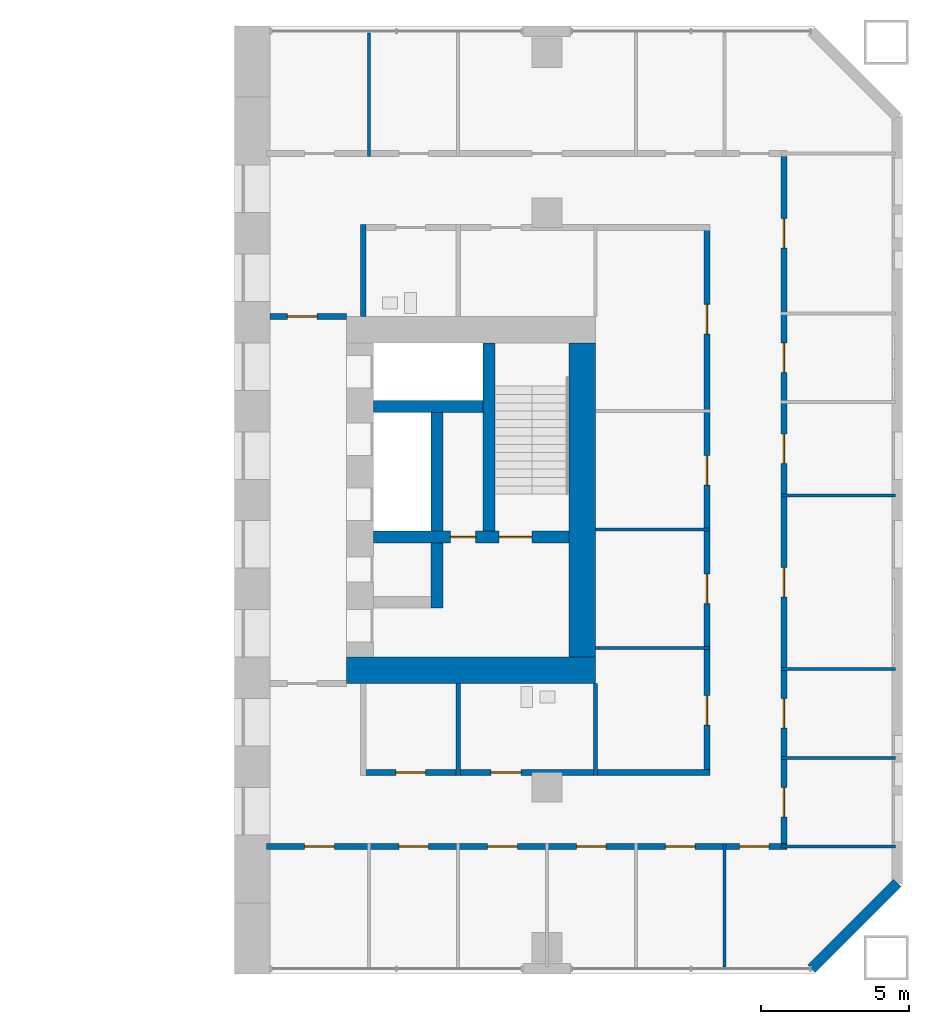
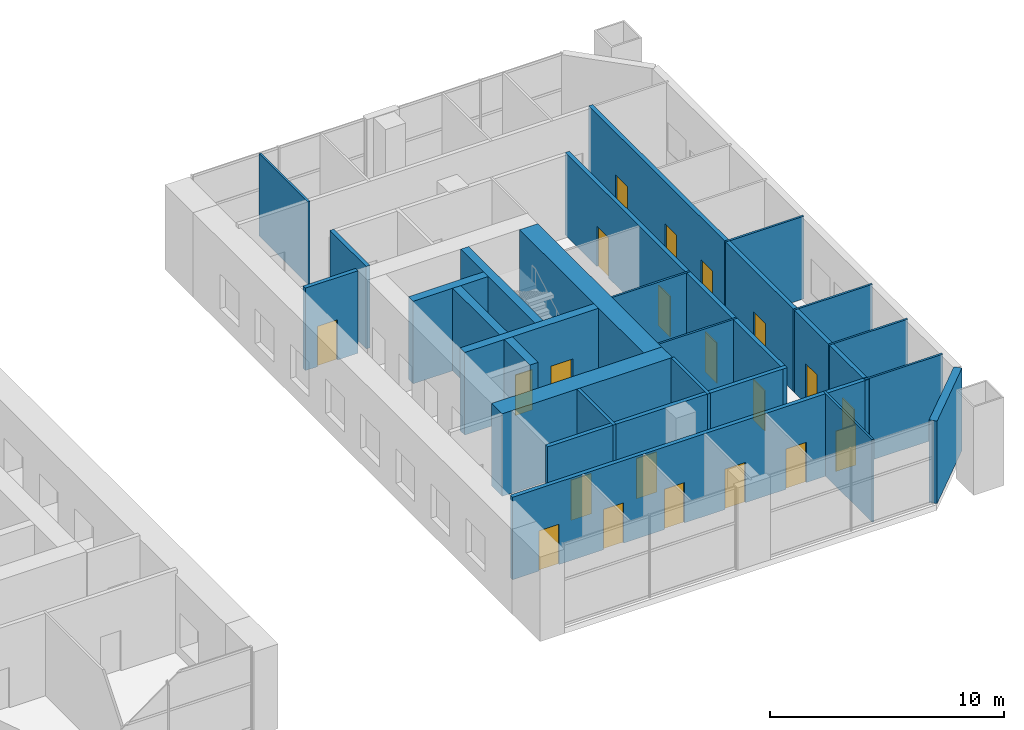
# One storey, part 15 of 19: 24 walls, 21 doors, 21 openings.
"""IFC4 building model written with IfcOpenShell, lengths in metres."""

from ifc_helpers import new_model, si_unit, direction, frame, frame_2d, origin, place, context, subcontext, project, spatial, rectangle, extrude, material, layer, layer_set, type_object, element, fill, save


model = new_model("IFC4")

# Units and contexts
model_context = context("Model", 3, precision=1e-05, world=origin(), true_north=direction((0.0, 1.0)))
body_context = subcontext(model_context, "Body", "Model", "MODEL_VIEW")
ifc_project = project(units=[si_unit("LENGTHUNIT", "METRE"), si_unit("AREAUNIT", "SQUARE_METRE"), si_unit("VOLUMEUNIT", "CUBIC_METRE"), si_unit("PLANEANGLEUNIT", "RADIAN"), si_unit("MASSUNIT", "GRAM", prefix="KILO")], contexts=[model_context])

# Site, building, storey
site_placement = place(None, origin())
site = spatial("IfcSite", under=ifc_project, at=site_placement, CompositionType="ELEMENT")
building_placement = place(site_placement, origin())
building = spatial("IfcBuilding", under=site, at=building_placement, Name="Tuart Gate Housing", CompositionType="ELEMENT")
storey_placement = place(building_placement, frame((0.0, 0.0, 10.10009765625)))
storey = spatial("IfcBuildingStorey", under=building, at=storey_placement, Name="L02", CompositionType="ELEMENT", Elevation=10.10009765625)

# Walls
ifc_material_1 = material(Name="Gypsum board on steel studs", Category="steel")
ifc_layer_1 = layer(ifc_material_1, 0.14990234375)
ifc_layer_set_1 = layer_set([ifc_layer_1], Name="Bathroom wall 150")
wall_type_1 = type_object("IfcWallType", Name="Bathroom wall 150", PredefinedType="PLUMBINGWALL", material=ifc_layer_set_1)
for number, where, z_axis, x_axis, name in (
    (1, (164.0, 60.699951171875, 0.0), (0.0, 0.0, 1.0), (0.0, 1.0, 0.0), "Bathroom wall 150"),
    (2, (168.639892578125, 60.699951171875, 0.0), (0.0, 0.0, 1.0), (0.0, 1.0, 0.0), "Bathroom wall 150"),
):
    element("IfcWall", number, at=place(storey_placement, frame(where, z_axis=z_axis, x_axis=x_axis)), inside=storey, type_object=wall_type_1, Name=name, PredefinedType="PLUMBINGWALL", context=body_context, shape_type="SweptSolid", body=[
        extrude(rectangle(XDim=3.10009765625, YDim=0.14990234375, at=frame_2d((1.550048828125, 0.0))), origin(), (0.0, 0.0, 1.0), 4.2998046875),
    ])
ifc_material_2 = material(Name="Brick", Category="masonry")
ifc_layer_2 = layer(ifc_material_2, 0.360107421875)
ifc_layer_set_2 = layer_set([ifc_layer_2], Name="Brick pier and spandrel wall 360")
wall_type_2 = type_object("IfcWallType", Name="Brick pier and spandrel wall 360", PredefinedType="STANDARD", material=ifc_layer_set_2)
wall_1_placement = place(storey_placement, frame((175.92529296875, 54.179931640625, 0.0), z_axis=(0.0, 0.0, 1.0), x_axis=(0.707106781187, 0.707106781187, 0.0)))
element("IfcWall", 3, at=wall_1_placement, inside=storey, type_object=wall_type_2, Name="External wall B-SE L02", PredefinedType="STANDARD", context=body_context, shape_type="SweptSolid", body=[
    extrude(rectangle(XDim=4.09375, YDim=0.360107421875, at=frame_2d((2.046875, 0.0))), origin(), (0.0, 0.0, 1.0), 4.2998046875),
])
ifc_material_3 = material(Name="Concrete C60", Category="concrete")
ifc_layer_3 = layer(ifc_material_3, 0.39990234375)
ifc_layer_set_3 = layer_set([ifc_layer_3], Name="Core wall 400 C60")
wall_type_3 = type_object("IfcWallType", Name="Core wall 400 C60", PredefinedType="SHEAR", material=ifc_layer_set_3)
wall_2_placement = place(storey_placement, frame((161.139892578125, 73.14990234375, 0.0), z_axis=(0.0, 0.0, 1.0), x_axis=(1.0, 0.0, 0.0)))
element("IfcWall", 4, at=wall_2_placement, inside=storey, type_object=wall_type_3, Name="Core wall BK.1", PredefinedType="SHEAR", context=body_context, shape_type="SweptSolid", body=[
    extrude(rectangle(XDim=3.7001953125, YDim=0.39990234375, at=frame_2d((1.85009765625, 0.0))), origin(), (0.0, 0.0, 1.0), 4.2998046875),
])

# Wall, openings, doors
wall_3_placement = place(storey_placement, frame((161.139892578125, 68.75, 0.0), z_axis=(0.0, 0.0, 1.0), x_axis=(1.0, 0.0, 0.0)))
wall_3 = element("IfcWall", 5, at=wall_3_placement, inside=storey, type_object=wall_type_3, Name="Core wall BK.2", PredefinedType="SHEAR", context=body_context, shape_type="SweptSolid", body=[
    extrude(rectangle(XDim=6.60009765625, YDim=0.39990234375, at=frame_2d((3.300048828125, 0.0))), origin(), (0.0, 0.0, 1.0), 4.2998046875),
])
opening_1_placement = place(wall_3_placement, frame((4.25, 0.0, 0.0)))
opening_1 = element("IfcOpeningElement", 6, at=opening_1_placement, cuts=wall_3, Name="Opening D3232", PredefinedType="OPENING", context=body_context, shape_type="SweptSolid", body=[
    extrude(rectangle(XDim=1.10009765625, YDim=2.10009765625, at=frame_2d((0.550048828125, 1.050048828125))), frame((0.0, 0.2099609375, 0.0), z_axis=(0.0, -1.0, 0.0), x_axis=(1.0, 0.0, 0.0)), (0.0, 0.0, 1.0), 0.419921875),
])
opening_2_placement = place(wall_3_placement, frame((2.60009765625, 0.0, 0.0)))
opening_2 = element("IfcOpeningElement", 7, at=opening_2_placement, cuts=wall_3, Name="Opening D3231", PredefinedType="OPENING", context=body_context, shape_type="SweptSolid", body=[
    extrude(rectangle(XDim=0.85009765625, YDim=2.10009765625, at=frame_2d((0.425048828125, 1.050048828125))), frame((0.0, 0.2099609375, 0.0), z_axis=(0.0, -1.0, 0.0), x_axis=(1.0, 0.0, 0.0)), (0.0, 0.0, 1.0), 0.419921875),
])
ifc_material_4 = material(Name="Steel fire door", Category="steel")
door_type_1 = type_object("IfcDoorType", Name="Riser door 850 x 2100", OperationType="SINGLE_SWING_LEFT", PredefinedType="DOOR", material=ifc_material_4)
door_1_placement = place(opening_2_placement, origin())
door_1 = element("IfcDoor", 8, at=door_1_placement, inside=storey, type_object=door_type_1, Name="Service room door BK.W1", OperationType="SINGLE_SWING_LEFT", OverallHeight=2.10009765625, OverallWidth=0.85009765625, PredefinedType="DOOR", context=body_context, shape_type="SweptSolid", body=[
    extrude(rectangle(XDim=0.85009765625, YDim=2.10009765625, at=frame_2d((0.425048828125, 1.050048828125))), frame((0.0, 0.02490234375, 0.0), z_axis=(0.0, -1.0, 0.0), x_axis=(1.0, 0.0, 0.0)), (0.0, 0.0, 1.0), 0.050048828125),
])
fill(opening_2, door_1)
ifc_material_5 = material(Name="Steel fire door", Category="steel")
door_type_2 = type_object("IfcDoorType", Name="Stair door 1100 x 2100", OperationType="SINGLE_SWING_LEFT", PredefinedType="DOOR", material=ifc_material_5)
door_2_placement = place(opening_1_placement, origin())
door_2 = element("IfcDoor", 9, at=door_2_placement, inside=storey, type_object=door_type_2, Name="Stair door BK.SD", OperationType="SINGLE_SWING_LEFT", OverallHeight=2.10009765625, OverallWidth=1.10009765625, PredefinedType="DOOR", context=body_context, shape_type="SweptSolid", body=[
    extrude(rectangle(XDim=1.10009765625, YDim=2.10009765625, at=frame_2d((0.550048828125, 1.050048828125))), frame((0.0, 0.02490234375, 0.0), z_axis=(0.0, -1.0, 0.0), x_axis=(1.0, 0.0, 0.0)), (0.0, 0.0, 1.0), 0.050048828125),
])
fill(opening_1, door_2)

# Walls
wall_4_placement = place(storey_placement, frame((163.2900390625, 72.949951171875, 0.0), z_axis=(0.0, 0.0, 1.0), x_axis=(0.0, -1.0, 0.0)))
element("IfcWall", 10, at=wall_4_placement, inside=storey, type_object=wall_type_3, Name="Core wall BK.4", PredefinedType="SHEAR", context=body_context, shape_type="SweptSolid", body=[
    extrude(rectangle(XDim=4.0, YDim=0.39990234375, at=frame_2d((2.0, 0.0))), origin(), (0.0, 0.0, 1.0), 4.2998046875),
])
wall_5_placement = place(storey_placement, frame((163.2900390625, 68.550048828125, 0.0), z_axis=(0.0, 0.0, 1.0), x_axis=(0.0, -1.0, 0.0)))
element("IfcWall", 11, at=wall_5_placement, inside=storey, type_object=wall_type_3, Name="Core wall BK.5", PredefinedType="SHEAR", context=body_context, shape_type="SweptSolid", body=[
    extrude(rectangle(XDim=2.199951171875, YDim=0.39990234375, at=frame_2d((1.10009765625, 0.0))), origin(), (0.0, 0.0, 1.0), 4.2998046875),
])
wall_6_placement = place(storey_placement, frame((165.0400390625, 75.300048828125, 0.0), z_axis=(0.0, 0.0, 1.0), x_axis=(0.0, -1.0, 0.0)))
element("IfcWall", 12, at=wall_6_placement, inside=storey, type_object=wall_type_3, Name="Core wall BK.6", PredefinedType="SHEAR", context=body_context, shape_type="SweptSolid", body=[
    extrude(rectangle(XDim=6.35009765625, YDim=0.39990234375, at=frame_2d((3.175048828125, 0.0))), origin(), (0.0, 0.0, 1.0), 4.2998046875),
])
ifc_material_6 = material(Name="Concrete C60", Category="concrete")
ifc_layer_4 = layer(ifc_material_6, 0.89990234375)
ifc_layer_set_4 = layer_set([ifc_layer_4], Name="Core wall 900 C60")
wall_type_4 = type_object("IfcWallType", Name="Core wall 900 C60", PredefinedType="SHEAR", material=ifc_layer_set_4)
wall_7_placement = place(storey_placement, frame((168.18994140625, 75.300048828125, 0.0), z_axis=(0.0, 0.0, 1.0), x_axis=(0.0, -1.0, 0.0)))
element("IfcWall", 13, at=wall_7_placement, inside=storey, type_object=wall_type_4, Name="Core wall BK back", PredefinedType="SHEAR", context=body_context, shape_type="SweptSolid", body=[
    extrude(rectangle(XDim=10.60009765625, YDim=0.89990234375, at=frame_2d((5.300048828125, 0.0))), origin(), (0.0, 0.0, 1.0), 4.2998046875),
])
wall_8_placement = place(storey_placement, frame((160.239990234375, 64.25, 0.0), z_axis=(0.0, 0.0, 1.0), x_axis=(1.0, 0.0, 0.0)))
element("IfcWall", 14, at=wall_8_placement, inside=storey, type_object=wall_type_4, Name="Core wall BK north", PredefinedType="SHEAR", context=body_context, shape_type="SweptSolid", body=[
    extrude(rectangle(XDim=8.39990234375, YDim=0.89990234375, at=frame_2d((4.199951171875, 0.0))), origin(), (0.0, 0.0, 1.0), 4.2998046875),
])

# Wall, openings, doors
ifc_material_7 = material(Name="Concrete masonry 15 MPa", Category="masonry")
ifc_layer_5 = layer(ifc_material_7, 0.199951171875)
ifc_layer_set_5 = layer_set([ifc_layer_5], Name="Corridor wall masonry 200")
wall_type_5 = type_object("IfcWallType", Name="Corridor wall masonry 200", PredefinedType="PARTITIONING", material=ifc_layer_set_5)
wall_9_placement = place(storey_placement, frame((157.530029296875, 58.300048828125, 0.0), z_axis=(0.0, 0.0, 1.0), x_axis=(1.0, 0.0, 0.0)))
wall_9 = element("IfcWall", 15, at=wall_9_placement, inside=storey, type_object=wall_type_5, Name="Corridor wall masonry 200", PredefinedType="PARTITIONING", context=body_context, shape_type="SweptSolid", body=[
    extrude(rectangle(XDim=17.572021484375, YDim=0.199951171875, at=frame_2d((8.7861328125, 0.0))), origin(), (0.0, 0.0, 1.0), 4.2998046875),
])
opening_3_placement = place(wall_9_placement, frame((1.294921875, 0.0, 0.0)))
opening_3 = element("IfcOpeningElement", 16, at=opening_3_placement, cuts=wall_9, Name="Opening D3239", PredefinedType="OPENING", context=body_context, shape_type="SweptSolid", body=[
    extrude(rectangle(XDim=1.0, YDim=2.10009765625, at=frame_2d((0.5, 1.050048828125))), frame((0.0, 0.10986328125, 0.0), z_axis=(0.0, -1.0, 0.0), x_axis=(1.0, 0.0, 0.0)), (0.0, 0.0, 1.0), 0.219970703125),
])
opening_4_placement = place(wall_9_placement, frame((4.469970703125, 0.0, 0.0)))
opening_4 = element("IfcOpeningElement", 17, at=opening_4_placement, cuts=wall_9, Name="Opening D3240", PredefinedType="OPENING", context=body_context, shape_type="SweptSolid", body=[
    extrude(rectangle(XDim=1.0, YDim=2.10009765625, at=frame_2d((0.5, 1.050048828125))), frame((0.0, 0.10986328125, 0.0), z_axis=(0.0, -1.0, 0.0), x_axis=(1.0, 0.0, 0.0)), (0.0, 0.0, 1.0), 0.219970703125),
])
opening_5_placement = place(wall_9_placement, frame((7.469970703125, 0.0, 0.0)))
opening_5 = element("IfcOpeningElement", 18, at=opening_5_placement, cuts=wall_9, Name="Opening D3241", PredefinedType="OPENING", context=body_context, shape_type="SweptSolid", body=[
    extrude(rectangle(XDim=1.0, YDim=2.10009765625, at=frame_2d((0.5, 1.050048828125))), frame((0.0, 0.10986328125, 0.0), z_axis=(0.0, -1.0, 0.0), x_axis=(1.0, 0.0, 0.0)), (0.0, 0.0, 1.0), 0.219970703125),
])
opening_6_placement = place(wall_9_placement, frame((10.469970703125, 0.0, 0.0)))
opening_6 = element("IfcOpeningElement", 19, at=opening_6_placement, cuts=wall_9, Name="Opening D3242", PredefinedType="OPENING", context=body_context, shape_type="SweptSolid", body=[
    extrude(rectangle(XDim=1.0, YDim=2.10009765625, at=frame_2d((0.5, 1.050048828125))), frame((0.0, 0.10986328125, 0.0), z_axis=(0.0, -1.0, 0.0), x_axis=(1.0, 0.0, 0.0)), (0.0, 0.0, 1.0), 0.219970703125),
])
opening_7_placement = place(wall_9_placement, frame((13.469970703125, 0.0, 0.0)))
opening_7 = element("IfcOpeningElement", 20, at=opening_7_placement, cuts=wall_9, Name="Opening D3243", PredefinedType="OPENING", context=body_context, shape_type="SweptSolid", body=[
    extrude(rectangle(XDim=1.0, YDim=2.10009765625, at=frame_2d((0.5, 1.050048828125))), frame((0.0, 0.10986328125, 0.0), z_axis=(0.0, -1.0, 0.0), x_axis=(1.0, 0.0, 0.0)), (0.0, 0.0, 1.0), 0.219970703125),
])
opening_8_placement = place(wall_9_placement, frame((15.970947265625, 0.0, 0.0)))
opening_8 = element("IfcOpeningElement", 21, at=opening_8_placement, cuts=wall_9, Name="Opening D3244", PredefinedType="OPENING", context=body_context, shape_type="SweptSolid", body=[
    extrude(rectangle(XDim=1.0, YDim=2.10009765625, at=frame_2d((0.5, 1.050048828125))), frame((0.0, 0.10986328125, 0.0), z_axis=(0.0, -1.0, 0.0), x_axis=(1.0, 0.0, 0.0)), (0.0, 0.0, 1.0), 0.219970703125),
])
ifc_material_8 = material(Name="Timber door leaf in steel frame", Category="steel")
door_type_3 = type_object("IfcDoorType", Name="Fire door 1000 RH", OperationType="SINGLE_SWING_RIGHT", PredefinedType="DOOR", material=ifc_material_8)
door_3_placement = place(opening_3_placement, frame((1.0, 0.0, 0.0), z_axis=(0.0, 0.0, 1.0), x_axis=(-1.0, 0.0, 0.0)))
door_3 = element("IfcDoor", 22, at=door_3_placement, inside=storey, type_object=door_type_3, Name="Fire door 1000", OperationType="SINGLE_SWING_RIGHT", OverallHeight=2.10009765625, OverallWidth=1.0, PredefinedType="DOOR", context=body_context, shape_type="SweptSolid", body=[
    extrude(rectangle(XDim=1.0, YDim=2.10009765625, at=frame_2d((0.5, 1.050048828125))), frame((0.0, 0.025146484375, 0.0), z_axis=(0.0, -1.0, 0.0), x_axis=(1.0, 0.0, 0.0)), (0.0, 0.0, 1.0), 0.050048828125),
])
fill(opening_3, door_3)
door_4_placement = place(opening_4_placement, frame((1.0, 0.0, 0.0), z_axis=(0.0, 0.0, 1.0), x_axis=(-1.0, 0.0, 0.0)))
door_4 = element("IfcDoor", 23, at=door_4_placement, inside=storey, type_object=door_type_3, Name="Fire door 1000", OperationType="SINGLE_SWING_RIGHT", OverallHeight=2.10009765625, OverallWidth=1.0, PredefinedType="DOOR", context=body_context, shape_type="SweptSolid", body=[
    extrude(rectangle(XDim=1.0, YDim=2.10009765625, at=frame_2d((0.5, 1.050048828125))), frame((0.0, 0.025146484375, 0.0), z_axis=(0.0, -1.0, 0.0), x_axis=(1.0, 0.0, 0.0)), (0.0, 0.0, 1.0), 0.050048828125),
])
fill(opening_4, door_4)
door_5_placement = place(opening_5_placement, frame((1.0, 0.0, 0.0), z_axis=(0.0, 0.0, 1.0), x_axis=(-1.0, 0.0, 0.0)))
door_5 = element("IfcDoor", 24, at=door_5_placement, inside=storey, type_object=door_type_3, Name="Fire door 1000", OperationType="SINGLE_SWING_RIGHT", OverallHeight=2.10009765625, OverallWidth=1.0, PredefinedType="DOOR", context=body_context, shape_type="SweptSolid", body=[
    extrude(rectangle(XDim=1.0, YDim=2.10009765625, at=frame_2d((0.5, 1.050048828125))), frame((0.0, 0.025146484375, 0.0), z_axis=(0.0, -1.0, 0.0), x_axis=(1.0, 0.0, 0.0)), (0.0, 0.0, 1.0), 0.050048828125),
])
fill(opening_5, door_5)
door_6_placement = place(opening_6_placement, frame((1.0, 0.0, 0.0), z_axis=(0.0, 0.0, 1.0), x_axis=(-1.0, 0.0, 0.0)))
door_6 = element("IfcDoor", 25, at=door_6_placement, inside=storey, type_object=door_type_3, Name="Fire door 1000", OperationType="SINGLE_SWING_RIGHT", OverallHeight=2.10009765625, OverallWidth=1.0, PredefinedType="DOOR", context=body_context, shape_type="SweptSolid", body=[
    extrude(rectangle(XDim=1.0, YDim=2.10009765625, at=frame_2d((0.5, 1.050048828125))), frame((0.0, 0.025146484375, 0.0), z_axis=(0.0, -1.0, 0.0), x_axis=(1.0, 0.0, 0.0)), (0.0, 0.0, 1.0), 0.050048828125),
])
fill(opening_6, door_6)
door_7_placement = place(opening_7_placement, frame((1.0, 0.0, 0.0), z_axis=(0.0, 0.0, 1.0), x_axis=(-1.0, 0.0, 0.0)))
door_7 = element("IfcDoor", 26, at=door_7_placement, inside=storey, type_object=door_type_3, Name="Fire door 1000", OperationType="SINGLE_SWING_RIGHT", OverallHeight=2.10009765625, OverallWidth=1.0, PredefinedType="DOOR", context=body_context, shape_type="SweptSolid", body=[
    extrude(rectangle(XDim=1.0, YDim=2.10009765625, at=frame_2d((0.5, 1.050048828125))), frame((0.0, 0.025146484375, 0.0), z_axis=(0.0, -1.0, 0.0), x_axis=(1.0, 0.0, 0.0)), (0.0, 0.0, 1.0), 0.050048828125),
])
fill(opening_7, door_7)
door_8_placement = place(opening_8_placement, frame((1.0, 0.0, 0.0), z_axis=(0.0, 0.0, 1.0), x_axis=(-1.0, 0.0, 0.0)))
door_8 = element("IfcDoor", 27, at=door_8_placement, inside=storey, type_object=door_type_3, Name="Fire door 1000", OperationType="SINGLE_SWING_RIGHT", OverallHeight=2.10009765625, OverallWidth=1.0, PredefinedType="DOOR", context=body_context, shape_type="SweptSolid", body=[
    extrude(rectangle(XDim=1.0, YDim=2.10009765625, at=frame_2d((0.5, 1.050048828125))), frame((0.0, 0.025146484375, 0.0), z_axis=(0.0, -1.0, 0.0), x_axis=(1.0, 0.0, 0.0)), (0.0, 0.0, 1.0), 0.050048828125),
])
fill(opening_8, door_8)

wall_10_placement = place(storey_placement, frame((160.699951171875, 60.800048828125, 0.0), z_axis=(0.0, 0.0, 1.0), x_axis=(1.0, 0.0, 0.0)))
wall_10 = element("IfcWall", 28, at=wall_10_placement, inside=storey, type_object=wall_type_5, Name="Corridor wall masonry 200", PredefinedType="PARTITIONING", context=body_context, shape_type="SweptSolid", body=[
    extrude(rectangle(XDim=11.800048828125, YDim=0.199951171875, at=frame_2d((5.89990234375, 0.0))), origin(), (0.0, 0.0, 1.0), 4.2998046875),
])
opening_9_placement = place(wall_10_placement, frame((1.199951171875, 0.0, 0.0)))
opening_9 = element("IfcOpeningElement", 29, at=opening_9_placement, cuts=wall_10, Name="Opening D3237", PredefinedType="OPENING", context=body_context, shape_type="SweptSolid", body=[
    extrude(rectangle(XDim=1.0, YDim=2.10009765625, at=frame_2d((0.5, 1.050048828125))), frame((0.0, 0.10986328125, 0.0), z_axis=(0.0, -1.0, 0.0), x_axis=(1.0, 0.0, 0.0)), (0.0, 0.0, 1.0), 0.219970703125),
])
opening_10_placement = place(wall_10_placement, frame((4.419921875, 0.0, 0.0)))
opening_10 = element("IfcOpeningElement", 30, at=opening_10_placement, cuts=wall_10, Name="Opening D3238", PredefinedType="OPENING", context=body_context, shape_type="SweptSolid", body=[
    extrude(rectangle(XDim=1.0, YDim=2.10009765625, at=frame_2d((0.5, 1.050048828125))), frame((0.0, 0.10986328125, 0.0), z_axis=(0.0, -1.0, 0.0), x_axis=(1.0, 0.0, 0.0)), (0.0, 0.0, 1.0), 0.219970703125),
])
ifc_material_9 = material(Name="Timber door leaf in steel frame", Category="steel")
door_type_4 = type_object("IfcDoorType", Name="Fire door 1000", OperationType="SINGLE_SWING_LEFT", PredefinedType="DOOR", material=ifc_material_9)
door_9_placement = place(opening_9_placement, origin())
door_9 = element("IfcDoor", 31, at=door_9_placement, inside=storey, type_object=door_type_4, Name="Fire door 1000", OperationType="SINGLE_SWING_LEFT", OverallHeight=2.10009765625, OverallWidth=1.0, PredefinedType="DOOR", context=body_context, shape_type="SweptSolid", body=[
    extrude(rectangle(XDim=1.0, YDim=2.10009765625, at=frame_2d((0.5, 1.050048828125))), frame((0.0, 0.02490234375, 0.0), z_axis=(0.0, -1.0, 0.0), x_axis=(1.0, 0.0, 0.0)), (0.0, 0.0, 1.0), 0.050048828125),
])
fill(opening_9, door_9)
door_10_placement = place(opening_10_placement, origin())
door_10 = element("IfcDoor", 32, at=door_10_placement, inside=storey, type_object=door_type_4, Name="Fire door 1000", OperationType="SINGLE_SWING_LEFT", OverallHeight=2.10009765625, OverallWidth=1.0, PredefinedType="DOOR", context=body_context, shape_type="SweptSolid", body=[
    extrude(rectangle(XDim=1.0, YDim=2.10009765625, at=frame_2d((0.5, 1.050048828125))), frame((0.0, 0.02490234375, 0.0), z_axis=(0.0, -1.0, 0.0), x_axis=(1.0, 0.0, 0.0)), (0.0, 0.0, 1.0), 0.050048828125),
])
fill(opening_10, door_10)

# Wall
wall_11_placement = place(storey_placement, frame((160.800048828125, 76.199951171875, 0.0), z_axis=(0.0, 0.0, 1.0), x_axis=(0.0, 1.0, 0.0)))
element("IfcWall", 33, at=wall_11_placement, inside=storey, type_object=wall_type_5, Name="Corridor wall masonry 200", PredefinedType="PARTITIONING", context=body_context, shape_type="SweptSolid", body=[
    extrude(rectangle(XDim=3.10009765625, YDim=0.199951171875, at=frame_2d((1.550048828125, 0.0))), origin(), (0.0, 0.0, 1.0), 4.2998046875),
])

# Wall, openings, doors
wall_12_placement = place(storey_placement, frame((172.39990234375, 60.699951171875, 0.0), z_axis=(0.0, 0.0, 1.0), x_axis=(0.0, 1.0, 0.0)))
wall_12 = element("IfcWall", 34, at=wall_12_placement, inside=storey, type_object=wall_type_5, Name="Corridor wall masonry 200", PredefinedType="PARTITIONING", context=body_context, shape_type="SweptSolid", body=[
    extrude(rectangle(XDim=18.60009765625, YDim=0.199951171875, at=frame_2d((9.300048828125, 0.0))), origin(), (0.0, 0.0, 1.0), 4.2998046875),
])
opening_11_placement = place(wall_12_placement, frame((1.699951171875, 0.0, 0.0)))
opening_11 = element("IfcOpeningElement", 35, at=opening_11_placement, cuts=wall_12, Name="Opening D3220", PredefinedType="OPENING", context=body_context, shape_type="SweptSolid", body=[
    extrude(rectangle(XDim=1.0, YDim=2.10009765625, at=frame_2d((0.5, 1.050048828125))), frame((0.0, 0.10986328125, 0.0), z_axis=(0.0, -1.0, 0.0), x_axis=(1.0, 0.0, 0.0)), (0.0, 0.0, 1.0), 0.219970703125),
])
opening_12_placement = place(wall_12_placement, frame((5.800048828125, 0.0, 0.0)))
opening_12 = element("IfcOpeningElement", 36, at=opening_12_placement, cuts=wall_12, Name="Opening D3221", PredefinedType="OPENING", context=body_context, shape_type="SweptSolid", body=[
    extrude(rectangle(XDim=1.0, YDim=2.10009765625, at=frame_2d((0.5, 1.050048828125))), frame((0.0, 0.10986328125, 0.0), z_axis=(0.0, -1.0, 0.0), x_axis=(1.0, 0.0, 0.0)), (0.0, 0.0, 1.0), 0.219970703125),
])
opening_13_placement = place(wall_12_placement, frame((9.800048828125, 0.0, 0.0)))
opening_13 = element("IfcOpeningElement", 37, at=opening_13_placement, cuts=wall_12, Name="Opening D3222", PredefinedType="OPENING", context=body_context, shape_type="SweptSolid", body=[
    extrude(rectangle(XDim=1.0, YDim=2.10009765625, at=frame_2d((0.5, 1.050048828125))), frame((0.0, 0.10986328125, 0.0), z_axis=(0.0, -1.0, 0.0), x_axis=(1.0, 0.0, 0.0)), (0.0, 0.0, 1.0), 0.219970703125),
])
opening_14_placement = place(wall_12_placement, frame((14.89990234375, 0.0, 0.0)))
opening_14 = element("IfcOpeningElement", 38, at=opening_14_placement, cuts=wall_12, Name="Opening D3223", PredefinedType="OPENING", context=body_context, shape_type="SweptSolid", body=[
    extrude(rectangle(XDim=1.0, YDim=2.10009765625, at=frame_2d((0.5, 1.050048828125))), frame((0.0, 0.10986328125, 0.0), z_axis=(0.0, -1.0, 0.0), x_axis=(1.0, 0.0, 0.0)), (0.0, 0.0, 1.0), 0.219970703125),
])
door_11_placement = place(opening_11_placement, origin())
door_11 = element("IfcDoor", 39, at=door_11_placement, inside=storey, type_object=door_type_4, Name="Fire door 1000", OperationType="SINGLE_SWING_LEFT", OverallHeight=2.10009765625, OverallWidth=1.0, PredefinedType="DOOR", context=body_context, shape_type="SweptSolid", body=[
    extrude(rectangle(XDim=1.0, YDim=2.10009765625, at=frame_2d((0.5, 1.050048828125))), frame((0.0, 0.02490234375, 0.0), z_axis=(0.0, -1.0, 0.0), x_axis=(1.0, 0.0, 0.0)), (0.0, 0.0, 1.0), 0.050048828125),
])
fill(opening_11, door_11)
door_12_placement = place(opening_12_placement, origin())
door_12 = element("IfcDoor", 40, at=door_12_placement, inside=storey, type_object=door_type_4, Name="Fire door 1000", OperationType="SINGLE_SWING_LEFT", OverallHeight=2.10009765625, OverallWidth=1.0, PredefinedType="DOOR", context=body_context, shape_type="SweptSolid", body=[
    extrude(rectangle(XDim=1.0, YDim=2.10009765625, at=frame_2d((0.5, 1.050048828125))), frame((0.0, 0.02490234375, 0.0), z_axis=(0.0, -1.0, 0.0), x_axis=(1.0, 0.0, 0.0)), (0.0, 0.0, 1.0), 0.050048828125),
])
fill(opening_12, door_12)
door_13_placement = place(opening_13_placement, origin())
door_13 = element("IfcDoor", 41, at=door_13_placement, inside=storey, type_object=door_type_4, Name="Fire door 1000", OperationType="SINGLE_SWING_LEFT", OverallHeight=2.10009765625, OverallWidth=1.0, PredefinedType="DOOR", context=body_context, shape_type="SweptSolid", body=[
    extrude(rectangle(XDim=1.0, YDim=2.10009765625, at=frame_2d((0.5, 1.050048828125))), frame((0.0, 0.02490234375, 0.0), z_axis=(0.0, -1.0, 0.0), x_axis=(1.0, 0.0, 0.0)), (0.0, 0.0, 1.0), 0.050048828125),
])
fill(opening_13, door_13)
door_14_placement = place(opening_14_placement, origin())
door_14 = element("IfcDoor", 42, at=door_14_placement, inside=storey, type_object=door_type_4, Name="Fire door 1000", OperationType="SINGLE_SWING_LEFT", OverallHeight=2.10009765625, OverallWidth=1.0, PredefinedType="DOOR", context=body_context, shape_type="SweptSolid", body=[
    extrude(rectangle(XDim=1.0, YDim=2.10009765625, at=frame_2d((0.5, 1.050048828125))), frame((0.0, 0.02490234375, 0.0), z_axis=(0.0, -1.0, 0.0), x_axis=(1.0, 0.0, 0.0)), (0.0, 0.0, 1.0), 0.050048828125),
])
fill(opening_14, door_14)

wall_13_placement = place(storey_placement, frame((175.0, 58.199951171875, 0.0), z_axis=(0.0, 0.0, 1.0), x_axis=(0.0, 1.0, 0.0)))
wall_13 = element("IfcWall", 43, at=wall_13_placement, inside=storey, type_object=wall_type_5, Name="Corridor wall masonry 200", PredefinedType="PARTITIONING", context=body_context, shape_type="SweptSolid", body=[
    extrude(rectangle(XDim=23.60009765625, YDim=0.199951171875, at=frame_2d((11.800048828125, 0.0))), origin(), (0.0, 0.0, 1.0), 4.2998046875),
])
opening_15_placement = place(wall_13_placement, frame((1.10009765625, 0.0, 0.0)))
opening_15 = element("IfcOpeningElement", 44, at=opening_15_placement, cuts=wall_13, Name="Opening D3224", PredefinedType="OPENING", context=body_context, shape_type="SweptSolid", body=[
    extrude(rectangle(XDim=1.0, YDim=2.10009765625, at=frame_2d((0.5, 1.050048828125))), frame((0.0, 0.10986328125, 0.0), z_axis=(0.0, -1.0, 0.0), x_axis=(1.0, 0.0, 0.0)), (0.0, 0.0, 1.0), 0.219970703125),
])
opening_16_placement = place(wall_13_placement, frame((4.10009765625, 0.0, 0.0)))
opening_16 = element("IfcOpeningElement", 45, at=opening_16_placement, cuts=wall_13, Name="Opening D3225", PredefinedType="OPENING", context=body_context, shape_type="SweptSolid", body=[
    extrude(rectangle(XDim=1.0, YDim=2.10009765625, at=frame_2d((0.5, 1.050048828125))), frame((0.0, 0.10986328125, 0.0), z_axis=(0.0, -1.0, 0.0), x_axis=(1.0, 0.0, 0.0)), (0.0, 0.0, 1.0), 0.219970703125),
])
opening_17_placement = place(wall_13_placement, frame((8.52490234375, 0.0, 0.0)))
opening_17 = element("IfcOpeningElement", 46, at=opening_17_placement, cuts=wall_13, Name="Opening D3226", PredefinedType="OPENING", context=body_context, shape_type="SweptSolid", body=[
    extrude(rectangle(XDim=1.0, YDim=2.10009765625, at=frame_2d((0.5, 1.050048828125))), frame((0.0, 0.10986328125, 0.0), z_axis=(0.0, -1.0, 0.0), x_axis=(1.0, 0.0, 0.0)), (0.0, 0.0, 1.0), 0.219970703125),
])
opening_18_placement = place(wall_13_placement, frame((13.02490234375, 0.0, 0.0)))
opening_18 = element("IfcOpeningElement", 47, at=opening_18_placement, cuts=wall_13, Name="Opening D3227", PredefinedType="OPENING", context=body_context, shape_type="SweptSolid", body=[
    extrude(rectangle(XDim=1.0, YDim=2.10009765625, at=frame_2d((0.5, 1.050048828125))), frame((0.0, 0.10986328125, 0.0), z_axis=(0.0, -1.0, 0.0), x_axis=(1.0, 0.0, 0.0)), (0.0, 0.0, 1.0), 0.219970703125),
])
opening_19_placement = place(wall_13_placement, frame((16.10009765625, 0.0, 0.0)))
opening_19 = element("IfcOpeningElement", 48, at=opening_19_placement, cuts=wall_13, Name="Opening D3228", PredefinedType="OPENING", context=body_context, shape_type="SweptSolid", body=[
    extrude(rectangle(XDim=1.0, YDim=2.10009765625, at=frame_2d((0.5, 1.050048828125))), frame((0.0, 0.10986328125, 0.0), z_axis=(0.0, -1.0, 0.0), x_axis=(1.0, 0.0, 0.0)), (0.0, 0.0, 1.0), 0.219970703125),
])
opening_20_placement = place(wall_13_placement, frame((20.300048828125, 0.0, 0.0)))
opening_20 = element("IfcOpeningElement", 49, at=opening_20_placement, cuts=wall_13, Name="Opening D3229", PredefinedType="OPENING", context=body_context, shape_type="SweptSolid", body=[
    extrude(rectangle(XDim=1.0, YDim=2.10009765625, at=frame_2d((0.5, 1.050048828125))), frame((0.0, 0.10986328125, 0.0), z_axis=(0.0, -1.0, 0.0), x_axis=(1.0, 0.0, 0.0)), (0.0, 0.0, 1.0), 0.219970703125),
])
door_15_placement = place(opening_15_placement, frame((1.0, 0.0, 0.0), z_axis=(0.0, 0.0, 1.0), x_axis=(-1.0, 0.0, 0.0)))
door_15 = element("IfcDoor", 50, at=door_15_placement, inside=storey, type_object=door_type_3, Name="Fire door 1000", OperationType="SINGLE_SWING_RIGHT", OverallHeight=2.10009765625, OverallWidth=1.0, PredefinedType="DOOR", context=body_context, shape_type="SweptSolid", body=[
    extrude(rectangle(XDim=1.0, YDim=2.10009765625, at=frame_2d((0.5, 1.050048828125))), frame((0.0, 0.025146484375, 0.0), z_axis=(0.0, -1.0, 0.0), x_axis=(1.0, 0.0, 0.0)), (0.0, 0.0, 1.0), 0.050048828125),
])
fill(opening_15, door_15)
door_16_placement = place(opening_16_placement, frame((1.0, 0.0, 0.0), z_axis=(0.0, 0.0, 1.0), x_axis=(-1.0, 0.0, 0.0)))
door_16 = element("IfcDoor", 51, at=door_16_placement, inside=storey, type_object=door_type_3, Name="Fire door 1000", OperationType="SINGLE_SWING_RIGHT", OverallHeight=2.10009765625, OverallWidth=1.0, PredefinedType="DOOR", context=body_context, shape_type="SweptSolid", body=[
    extrude(rectangle(XDim=1.0, YDim=2.10009765625, at=frame_2d((0.5, 1.050048828125))), frame((0.0, 0.025146484375, 0.0), z_axis=(0.0, -1.0, 0.0), x_axis=(1.0, 0.0, 0.0)), (0.0, 0.0, 1.0), 0.050048828125),
])
fill(opening_16, door_16)
door_17_placement = place(opening_17_placement, frame((1.0, 0.0, 0.0), z_axis=(0.0, 0.0, 1.0), x_axis=(-1.0, 0.0, 0.0)))
door_17 = element("IfcDoor", 52, at=door_17_placement, inside=storey, type_object=door_type_3, Name="Fire door 1000", OperationType="SINGLE_SWING_RIGHT", OverallHeight=2.10009765625, OverallWidth=1.0, PredefinedType="DOOR", context=body_context, shape_type="SweptSolid", body=[
    extrude(rectangle(XDim=1.0, YDim=2.10009765625, at=frame_2d((0.5, 1.050048828125))), frame((0.0, 0.025146484375, 0.0), z_axis=(0.0, -1.0, 0.0), x_axis=(1.0, 0.0, 0.0)), (0.0, 0.0, 1.0), 0.050048828125),
])
fill(opening_17, door_17)
door_18_placement = place(opening_18_placement, frame((1.0, 0.0, 0.0), z_axis=(0.0, 0.0, 1.0), x_axis=(-1.0, 0.0, 0.0)))
door_18 = element("IfcDoor", 53, at=door_18_placement, inside=storey, type_object=door_type_3, Name="Fire door 1000", OperationType="SINGLE_SWING_RIGHT", OverallHeight=2.10009765625, OverallWidth=1.0, PredefinedType="DOOR", context=body_context, shape_type="SweptSolid", body=[
    extrude(rectangle(XDim=1.0, YDim=2.10009765625, at=frame_2d((0.5, 1.050048828125))), frame((0.0, 0.025146484375, 0.0), z_axis=(0.0, -1.0, 0.0), x_axis=(1.0, 0.0, 0.0)), (0.0, 0.0, 1.0), 0.050048828125),
])
fill(opening_18, door_18)
door_19_placement = place(opening_19_placement, frame((1.0, 0.0, 0.0), z_axis=(0.0, 0.0, 1.0), x_axis=(-1.0, 0.0, 0.0)))
door_19 = element("IfcDoor", 54, at=door_19_placement, inside=storey, type_object=door_type_3, Name="Fire door 1000", OperationType="SINGLE_SWING_RIGHT", OverallHeight=2.10009765625, OverallWidth=1.0, PredefinedType="DOOR", context=body_context, shape_type="SweptSolid", body=[
    extrude(rectangle(XDim=1.0, YDim=2.10009765625, at=frame_2d((0.5, 1.050048828125))), frame((0.0, 0.025146484375, 0.0), z_axis=(0.0, -1.0, 0.0), x_axis=(1.0, 0.0, 0.0)), (0.0, 0.0, 1.0), 0.050048828125),
])
fill(opening_19, door_19)
door_20_placement = place(opening_20_placement, frame((1.0, 0.0, 0.0), z_axis=(0.0, 0.0, 1.0), x_axis=(-1.0, 0.0, 0.0)))
door_20 = element("IfcDoor", 55, at=door_20_placement, inside=storey, type_object=door_type_3, Name="Fire door 1000", OperationType="SINGLE_SWING_RIGHT", OverallHeight=2.10009765625, OverallWidth=1.0, PredefinedType="DOOR", context=body_context, shape_type="SweptSolid", body=[
    extrude(rectangle(XDim=1.0, YDim=2.10009765625, at=frame_2d((0.5, 1.050048828125))), frame((0.0, 0.025146484375, 0.0), z_axis=(0.0, -1.0, 0.0), x_axis=(1.0, 0.0, 0.0)), (0.0, 0.0, 1.0), 0.050048828125),
])
fill(opening_20, door_20)

# Wall, opening, door
ifc_material_10 = material(Name="Concrete masonry 15 MPa", Category="masonry")
ifc_layer_6 = layer(ifc_material_10, 0.199951171875)
ifc_layer_set_6 = layer_set([ifc_layer_6], Name="Enclosure wall masonry 200")
wall_type_6 = type_object("IfcWallType", Name="Enclosure wall masonry 200", PredefinedType="PARTITIONING", material=ifc_layer_set_6)
wall_14_placement = place(storey_placement, frame((157.64990234375, 76.199951171875, 0.0), z_axis=(0.0, 0.0, 1.0), x_axis=(1.0, 0.0, 0.0)))
wall_14 = element("IfcWall", 56, at=wall_14_placement, inside=storey, type_object=wall_type_6, Name="Enclosure wall masonry 200", PredefinedType="PARTITIONING", context=body_context, shape_type="SweptSolid", body=[
    extrude(rectangle(XDim=2.590087890625, YDim=0.199951171875, at=frame_2d((1.294921875, 0.0))), origin(), (0.0, 0.0, 1.0), 4.2998046875),
])
opening_21_placement = place(wall_14_placement, frame((0.590087890625, 0.0, 0.0)))
opening_21 = element("IfcOpeningElement", 57, at=opening_21_placement, cuts=wall_14, Name="Opening D3213", PredefinedType="OPENING", context=body_context, shape_type="SweptSolid", body=[
    extrude(rectangle(XDim=1.0, YDim=2.10009765625, at=frame_2d((0.5, 1.050048828125))), frame((0.0, 0.10986328125, 0.0), z_axis=(0.0, -1.0, 0.0), x_axis=(1.0, 0.0, 0.0)), (0.0, 0.0, 1.0), 0.219970703125),
])
ifc_material_11 = material(Name="Timber door leaf in steel frame", Category="steel")
door_type_5 = type_object("IfcDoorType", Name="Lobby door 1000", OperationType="SINGLE_SWING_LEFT", PredefinedType="DOOR", material=ifc_material_11)
door_21_placement = place(opening_21_placement, origin())
door_21 = element("IfcDoor", 58, at=door_21_placement, inside=storey, type_object=door_type_5, Name="Lobby door 1000", OperationType="SINGLE_SWING_LEFT", OverallHeight=2.10009765625, OverallWidth=1.0, PredefinedType="DOOR", context=body_context, shape_type="SweptSolid", body=[
    extrude(rectangle(XDim=1.0, YDim=2.10009765625, at=frame_2d((0.5, 1.050048828125))), frame((0.0, 0.02490234375, 0.0), z_axis=(0.0, -1.0, 0.0), x_axis=(1.0, 0.0, 0.0)), (0.0, 0.0, 1.0), 0.050048828125),
])
fill(opening_21, door_21)

# Walls
ifc_material_12 = material(Name="Gypsum board on steel studs", Category="steel")
ifc_layer_7 = layer(ifc_material_12, 0.10009765625)
ifc_layer_set_7 = layer_set([ifc_layer_7], Name="Partition 100")
wall_type_7 = type_object("IfcWallType", Name="Partition 100", PredefinedType="PARTITIONING", material=ifc_layer_set_7)
for number, where, z_axis, x_axis, name in (
    (59, (174.89990234375, 58.300048828125, 0.0), (0.0, 0.0, 1.0), (1.0, 0.0, 0.0), "Partition 100"),
    (60, (174.89990234375, 61.300048828125, 0.0), (0.0, 0.0, 1.0), (1.0, 0.0, 0.0), "Partition 100"),
    (61, (174.89990234375, 64.300048828125, 0.0), (0.0, 0.0, 1.0), (1.0, 0.0, 0.0), "Partition 100"),
    (62, (168.639892578125, 65.0, 0.0), (0.0, 0.0, 1.0), (1.0, 0.0, 0.0), "Partition 100"),
    (63, (168.639892578125, 69.0, 0.0), (0.0, 0.0, 1.0), (1.0, 0.0, 0.0), "Partition 100"),
    (64, (174.89990234375, 70.14990234375, 0.0), (0.0, 0.0, 1.0), (1.0, 0.0, 0.0), "Partition 100"),
):
    element("IfcWall", number, at=place(storey_placement, frame(where, z_axis=z_axis, x_axis=x_axis)), inside=storey, type_object=wall_type_7, Name=name, PredefinedType="PARTITIONING", context=body_context, shape_type="SweptSolid", body=[
        extrude(rectangle(XDim=3.860107421875, YDim=0.10009765625, at=frame_2d((1.93017578125, 0.0))), origin(), (0.0, 0.0, 1.0), 4.2998046875),
    ])
for number, where, z_axis, x_axis, name in (
    (65, (161.0, 81.60009765625, 0.0), (0.0, 0.0, 1.0), (0.0, 1.0, 0.0), "Partition 100"),
    (66, (173.0, 54.239990234375, 0.0), (0.0, 0.0, 1.0), (0.0, 1.0, 0.0), "Partition 100"),
):
    element("IfcWall", number, at=place(storey_placement, frame(where, z_axis=z_axis, x_axis=x_axis)), inside=storey, type_object=wall_type_7, Name=name, PredefinedType="PARTITIONING", context=body_context, shape_type="SweptSolid", body=[
        extrude(rectangle(XDim=4.159912109375, YDim=0.10009765625, at=frame_2d((2.080078125, 0.0))), origin(), (0.0, 0.0, 1.0), 4.2998046875),
    ])

save(model, "model.ifc")
